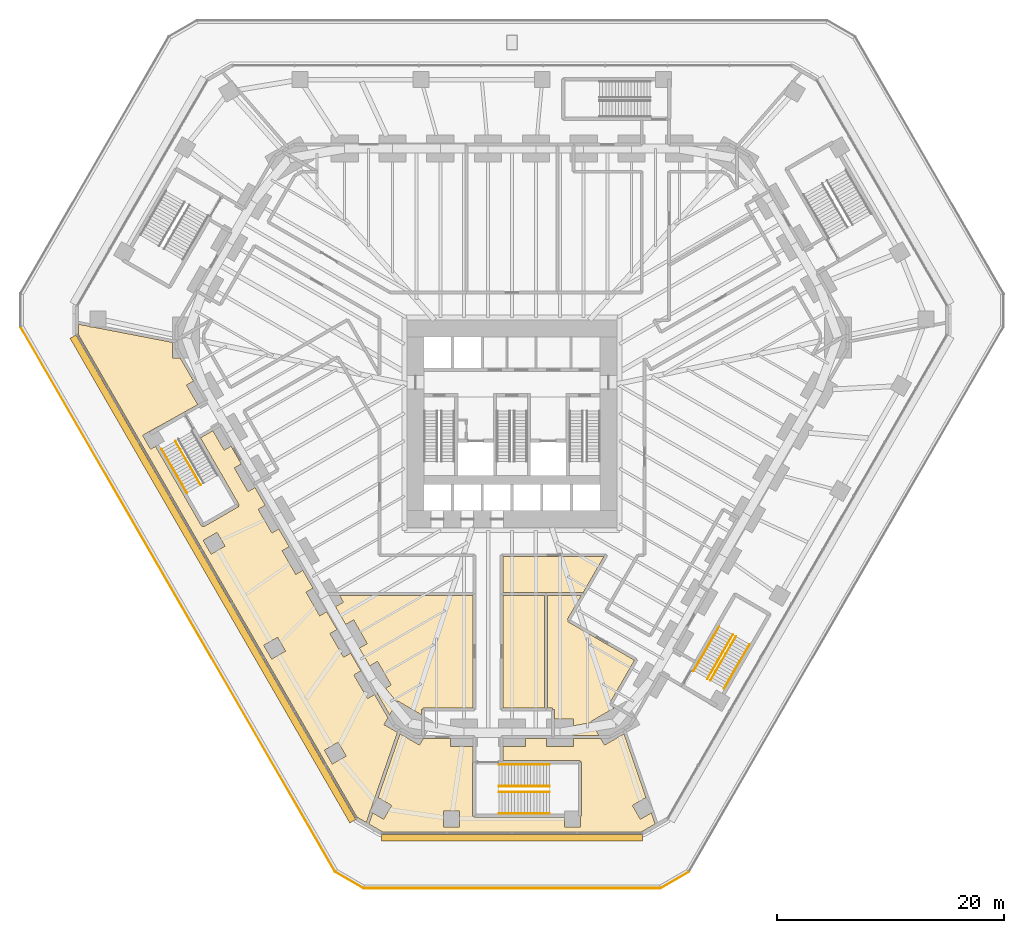
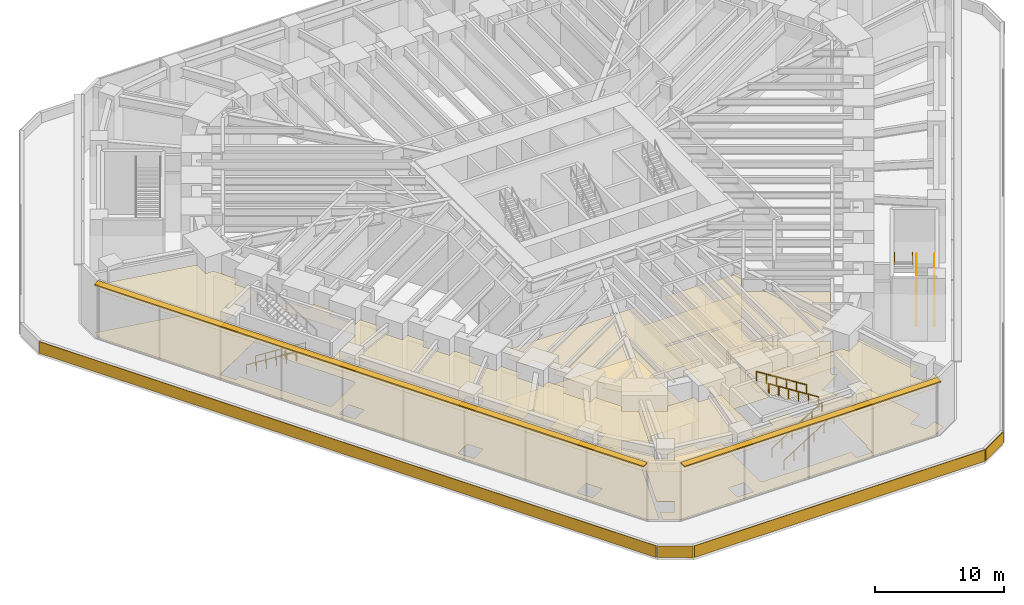
# One storey, part 21 of 24: 15 coverings, 10 railings, 2 shading devices.
"""IFC4 building model written with IfcOpenShell, lengths in metres."""

from ifc_helpers import new_model, si_unit, direction, frame, frame_2d, origin, origin_2d, place, context, subcontext, project, spatial, polyline, rectangle, circle, outline, extrude, material, layer, layer_set, type_object, element, save


model = new_model("IFC4")

# Units and contexts
model_context = context("Model", 3, precision=1e-05, world=origin(), true_north=direction((0.0, 1.0)))
body_context = subcontext(model_context, "Body", "Model", "MODEL_VIEW")
ifc_project = project(units=[si_unit("LENGTHUNIT", "METRE"), si_unit("AREAUNIT", "SQUARE_METRE"), si_unit("VOLUMEUNIT", "CUBIC_METRE"), si_unit("PLANEANGLEUNIT", "RADIAN"), si_unit("MASSUNIT", "GRAM", prefix="KILO")], contexts=[model_context])

# Site, building, storey
site_placement = place(None, origin())
site = spatial("IfcSite", under=ifc_project, at=site_placement, CompositionType="ELEMENT")
building_placement = place(site_placement, origin())
building = spatial("IfcBuilding", under=site, at=building_placement, Name="Sandreach Pilgrim Tower", CompositionType="ELEMENT")
storey_placement = place(building_placement, frame((0.0, 0.0, 12.0)))
storey = spatial("IfcBuildingStorey", under=building, at=storey_placement, Name="L02", CompositionType="ELEMENT", Elevation=12.0)

# Coverings
ifc_material_1 = material(Name="Acoustic mineral fibre tile ceiling on a suspension grid", Category="mineral")
ifc_layer_1 = layer(ifc_material_1, 0.02001953125)
ifc_layer_set_1 = layer_set([ifc_layer_1], Name="Acoustic mineral tile ceiling")
covering_type_1 = type_object("IfcCoveringType", Name="Acoustic mineral tile ceiling", PredefinedType="CEILING", material=ifc_layer_set_1)
covering_1_placement = place(storey_placement, frame((0.0, 0.0, 4.5)))
element("IfcCovering", 1, at=covering_1_placement, inside=storey, type_object=covering_type_1, Name="Ceiling 0205 Library and reading room", PredefinedType="CEILING", context=body_context, shape_type="SweptSolid", body=[
    extrude(outline(polyline([(-38.156982421875, 6.267822265625), (-38.156982421875, 7.21533203125), (-37.143310546875, 7.019775390625), (-37.143310546875, 6.994384765625), (-37.01123046875, 6.994384765625), (-29.91259765625, 5.62451171875), (-29.91259765625, 4.26220703125), (-29.223876953125, 4.26220703125), (-28.040283203125, 2.210693359375), (-28.655517578125, 1.85546875), (-27.666259765625, 0.141845703125), (-31.301025390625, -1.88671875), (-31.311279296875, -1.869140625), (-32.523681640625, -2.569091796875), (-31.82373046875, -3.781494140625), (-31.388671875, -3.530517578125), (-27.335205078125, -10.551513671875), (-27.29248046875, -10.52685546875), (-27.241943359375, -10.613037109375), (-27.1552734375, -10.56298828125), (-27.13037109375, -10.6064453125), (-24.09912109375, -8.8564453125), (-24.124267578125, -8.81298828125), (-24.03759765625, -8.76318359375), (-24.0869140625, -8.676025390625), (-24.044189453125, -8.6513671875), (-27.432861328125, -2.782470703125), (-26.340576171875, -2.154296875), (-25.3505859375, -3.868896484375), (-24.736083984375, -3.51416015625), (-23.8310546875, -5.081298828125), (-24.445556640625, -5.436279296875), (-23.24560546875, -7.5146484375), (-22.630615234375, -7.15966796875), (-21.725341796875, -8.726806640625), (-22.3408203125, -9.082275390625), (-21.140625, -11.16064453125), (-20.525146484375, -10.80517578125), (-19.619873046875, -12.37255859375), (-20.23583984375, -12.72802734375), (-19.03564453125, -14.806640625), (-18.41943359375, -14.45068359375), (-17.51416015625, -16.01806640625), (-18.130859375, -16.3740234375), (-16.930908203125, -18.452392578125), (-16.313232421875, -18.095947265625), (-15.407470703125, -19.662841796875), (-16.02587890625, -20.019775390625), (-14.825927734375, -22.098388671875), (-14.206298828125, -21.74072265625), (-13.300537109375, -23.3076171875), (-13.9208984375, -23.665771484375), (-12.720947265625, -25.744140625), (-12.099365234375, -25.385498046875), (-10.916259765625, -27.431884765625), (-11.26513671875, -28.0361328125), (-10.0849609375, -28.717529296875), (-12.4345703125, -35.5263671875), (-12.514404296875, -35.664306640625), (-12.487548828125, -35.6796875), (-12.824462890625, -36.655517578125), (-13.650390625, -36.1787109375), (-38.156982421875, 6.267822265625)]), holes=[polyline([(-16.519287109375, -30.289306640625), (-15.8193359375, -31.501708984375), (-14.60693359375, -30.8017578125), (-15.306884765625, -29.58935546875), (-16.519287109375, -30.289306640625)]), polyline([(-21.154052734375, -22.26171875), (-19.941650390625, -21.561767578125), (-20.6416015625, -20.349365234375), (-21.854248046875, -21.04931640625), (-21.154052734375, -22.26171875)]), polyline([(-26.489013671875, -13.021728515625), (-25.2763671875, -12.321533203125), (-25.9765625, -11.109130859375), (-27.18896484375, -11.809326171875), (-26.489013671875, -13.021728515625)])]), origin(), (0.0, 0.0, 1.0), 0.02001953125),
])
ifc_material_2 = material(Name="Nylon carpet tile on the slab", Category="textile")
ifc_layer_2 = layer(ifc_material_2, 0.008056640625)
ifc_layer_set_2 = layer_set([ifc_layer_2], Name="Carpet tile")
covering_type_2 = type_object("IfcCoveringType", Name="Carpet tile", PredefinedType="FLOORING", material=ifc_layer_set_2)
covering_2_placement = place(storey_placement, origin())
element("IfcCovering", 2, at=covering_2_placement, inside=storey, type_object=covering_type_2, Name="Floor finish 0204 Imam's study", PredefinedType="FLOORING", context=body_context, shape_type="SweptSolid", body=[
    extrude(outline(polyline([(-12.60400390625, -36.782958984375), (-12.26708984375, -35.806884765625), (-11.302001953125, -36.3642578125), (-10.601806640625, -35.15185546875), (-11.802001953125, -34.458984375), (-9.864501953125, -28.844970703125), (-8.1474609375, -29.836181640625), (-7.80029296875, -29.235107421875), (-5.42236328125, -29.235107421875), (-5.42236328125, -29.950927734375), (-3.43505859375, -29.950927734375), (-3.4296875, -31.36083984375), (-3.461181640625, -31.36083984375), (-3.461181640625, -36.060791015625), (-3.41162109375, -36.060791015625), (-3.4111328125, -36.160888671875), (-3.311279296875, -36.16162109375), (-3.311279296875, -36.2109375), (4.63525390625, -36.2109375), (4.63525390625, -37.028564453125), (6.03515625, -37.028564453125), (6.03515625, -36.160888671875), (6.138916015625, -36.060791015625), (6.138916015625, -31.36083984375), (6.08984375, -31.36083984375), (6.0888671875, -31.260986328125), (5.98876953125, -31.26025390625), (5.98876953125, -31.2109375), (-0.784912109375, -31.2109375), (-0.784912109375, -29.950927734375), (1.199951171875, -29.950927734375), (1.199951171875, -29.235107421875), (3.022216796875, -29.235107421875), (3.022216796875, -29.950927734375), (5.42236328125, -29.950927734375), (5.42236328125, -29.235107421875), (7.80029296875, -29.235107421875), (8.1474609375, -29.836181640625), (9.864501953125, -28.844970703125), (11.802001953125, -34.458984375), (10.601806640625, -35.15185546875), (11.302001953125, -36.3642578125), (12.26708984375, -35.806884765625), (12.60400390625, -36.782958984375), (11.381591796875, -37.488525390625), (-11.381591796875, -37.488525390625), (-12.60400390625, -36.782958984375)]), holes=[polyline([(-4.63525390625, -37.028564453125), (-4.63525390625, -35.628662109375), (-6.03515625, -35.628662109375), (-6.03515625, -37.028564453125), (-4.63525390625, -37.028564453125)])]), origin(), (0.0, 0.0, 1.0), 0.008056640625),
])
covering_3_placement = place(storey_placement, origin())
element("IfcCovering", 3, at=covering_3_placement, inside=storey, type_object=covering_type_2, Name="Floor finish 0205 Library and reading room", PredefinedType="FLOORING", context=body_context, shape_type="SweptSolid", body=[
    extrude(outline(polyline([(-38.156982421875, 6.267822265625), (-38.156982421875, 7.21533203125), (-37.143310546875, 7.019775390625), (-37.143310546875, 6.994384765625), (-37.01123046875, 6.994384765625), (-29.91259765625, 5.62451171875), (-29.91259765625, 4.26220703125), (-29.223876953125, 4.26220703125), (-28.040283203125, 2.210693359375), (-28.655517578125, 1.85546875), (-27.666259765625, 0.141845703125), (-31.301025390625, -1.88671875), (-31.311279296875, -1.869140625), (-32.523681640625, -2.569091796875), (-31.82373046875, -3.781494140625), (-31.388671875, -3.530517578125), (-27.335205078125, -10.551513671875), (-27.29248046875, -10.52685546875), (-27.241943359375, -10.613037109375), (-27.1552734375, -10.56298828125), (-27.13037109375, -10.6064453125), (-24.09912109375, -8.8564453125), (-24.124267578125, -8.81298828125), (-24.03759765625, -8.76318359375), (-24.0869140625, -8.676025390625), (-24.044189453125, -8.6513671875), (-27.432861328125, -2.782470703125), (-26.340576171875, -2.154296875), (-25.3505859375, -3.868896484375), (-24.736083984375, -3.51416015625), (-23.8310546875, -5.081298828125), (-24.445556640625, -5.436279296875), (-23.24560546875, -7.5146484375), (-22.630615234375, -7.15966796875), (-21.725341796875, -8.726806640625), (-22.3408203125, -9.082275390625), (-21.140625, -11.16064453125), (-20.525146484375, -10.80517578125), (-19.619873046875, -12.37255859375), (-20.23583984375, -12.72802734375), (-19.03564453125, -14.806640625), (-18.41943359375, -14.45068359375), (-17.51416015625, -16.01806640625), (-18.130859375, -16.3740234375), (-16.930908203125, -18.452392578125), (-16.313232421875, -18.095947265625), (-15.407470703125, -19.662841796875), (-16.02587890625, -20.019775390625), (-14.825927734375, -22.098388671875), (-14.206298828125, -21.74072265625), (-13.300537109375, -23.3076171875), (-13.9208984375, -23.665771484375), (-12.720947265625, -25.744140625), (-12.099365234375, -25.385498046875), (-10.916259765625, -27.431884765625), (-11.26513671875, -28.0361328125), (-10.0849609375, -28.717529296875), (-12.4345703125, -35.5263671875), (-12.514404296875, -35.664306640625), (-12.487548828125, -35.6796875), (-12.824462890625, -36.655517578125), (-13.650390625, -36.1787109375), (-38.156982421875, 6.267822265625)]), holes=[polyline([(-16.519287109375, -30.289306640625), (-15.8193359375, -31.501708984375), (-14.60693359375, -30.8017578125), (-15.306884765625, -29.58935546875), (-16.519287109375, -30.289306640625)]), polyline([(-21.154052734375, -22.26171875), (-19.941650390625, -21.561767578125), (-20.6416015625, -20.349365234375), (-21.854248046875, -21.04931640625), (-21.154052734375, -22.26171875)]), polyline([(-26.489013671875, -13.021728515625), (-25.2763671875, -12.321533203125), (-25.9765625, -11.109130859375), (-27.18896484375, -11.809326171875), (-26.489013671875, -13.021728515625)])]), origin(), (0.0, 0.0, 1.0), 0.008056640625),
])
ifc_material_3 = material(Name="Epoxy resin floor on the slab", Category="plastic")
ifc_layer_3 = layer(ifc_material_3, 0.00390625)
ifc_layer_set_3 = layer_set([ifc_layer_3], Name="Epoxy resin floor")
covering_type_3 = type_object("IfcCoveringType", Name="Epoxy resin floor", PredefinedType="FLOORING", material=ifc_layer_set_3)
covering_4_placement = place(storey_placement, origin())
element("IfcCovering", 4, at=covering_4_placement, inside=storey, type_object=covering_type_3, Name="Floor finish 02B5 Quran store", PredefinedType="FLOORING", context=body_context, shape_type="SweptSolid", body=[
    extrude(outline(polyline([(8.093505859375, -13.2451171875), (6.277099609375, -16.39501953125), (-0.784912109375, -16.39501953125), (-0.784912109375, -13.2451171875), (8.093505859375, -13.2451171875)])), origin(), (0.0, 0.0, 1.0), 0.00390625),
])
ifc_material_4 = material(Name="Gypsum board suspended ceiling on a steel grid", Category="steel")
ifc_layer_4 = layer(ifc_material_4, 0.012939453125)
ifc_layer_set_4 = layer_set([ifc_layer_4], Name="Gypsum board suspended ceiling")
covering_type_4 = type_object("IfcCoveringType", Name="Gypsum board suspended ceiling", PredefinedType="CEILING", material=ifc_layer_set_4)
covering_5_placement = place(storey_placement, frame((0.0, 0.0, 4.5)))
element("IfcCovering", 5, at=covering_5_placement, inside=storey, type_object=covering_type_4, Name="Ceiling 0204 Imam's study", PredefinedType="CEILING", context=body_context, shape_type="SweptSolid", body=[
    extrude(outline(polyline([(-12.60400390625, -36.782958984375), (-12.26708984375, -35.806884765625), (-11.302001953125, -36.3642578125), (-10.601806640625, -35.15185546875), (-11.802001953125, -34.458984375), (-9.864501953125, -28.844970703125), (-8.1474609375, -29.836181640625), (-7.80029296875, -29.235107421875), (-5.42236328125, -29.235107421875), (-5.42236328125, -29.950927734375), (-3.43505859375, -29.950927734375), (-3.4296875, -31.36083984375), (-3.461181640625, -31.36083984375), (-3.461181640625, -36.060791015625), (-3.41162109375, -36.060791015625), (-3.4111328125, -36.160888671875), (-3.311279296875, -36.16162109375), (-3.311279296875, -36.2109375), (4.63525390625, -36.2109375), (4.63525390625, -37.028564453125), (6.03515625, -37.028564453125), (6.03515625, -36.160888671875), (6.138916015625, -36.060791015625), (6.138916015625, -31.36083984375), (6.08984375, -31.36083984375), (6.0888671875, -31.260986328125), (5.98876953125, -31.26025390625), (5.98876953125, -31.2109375), (-0.784912109375, -31.2109375), (-0.784912109375, -29.950927734375), (1.199951171875, -29.950927734375), (1.199951171875, -29.235107421875), (3.022216796875, -29.235107421875), (3.022216796875, -29.950927734375), (5.42236328125, -29.950927734375), (5.42236328125, -29.235107421875), (7.80029296875, -29.235107421875), (8.1474609375, -29.836181640625), (9.864501953125, -28.844970703125), (11.802001953125, -34.458984375), (10.601806640625, -35.15185546875), (11.302001953125, -36.3642578125), (12.26708984375, -35.806884765625), (12.60400390625, -36.782958984375), (11.381591796875, -37.488525390625), (-11.381591796875, -37.488525390625), (-12.60400390625, -36.782958984375)]), holes=[polyline([(-4.63525390625, -37.028564453125), (-4.63525390625, -35.628662109375), (-6.03515625, -35.628662109375), (-6.03515625, -37.028564453125), (-4.63525390625, -37.028564453125)])]), origin(), (0.0, 0.0, 1.0), 0.012939453125),
])
ifc_material_5 = material(Name="Moisture-resistant gypsum board suspended ceiling on a steel grid", Category="steel")
ifc_layer_5 = layer(ifc_material_5, 0.01611328125)
ifc_layer_set_5 = layer_set([ifc_layer_5], Name="Moisture-resistant gypsum board ceiling")
covering_type_5 = type_object("IfcCoveringType", Name="Moisture-resistant gypsum board ceiling", PredefinedType="CEILING", material=ifc_layer_set_5)
covering_6_placement = place(storey_placement, frame((0.0, 0.0, 4.699951171875)))
element("IfcCovering", 6, at=covering_6_placement, inside=storey, type_object=covering_type_5, Name="Ceiling 02T1 Women's toilets 02", PredefinedType="CEILING", context=body_context, shape_type="SweptSolid", body=[
    extrude(outline(polyline([(-10.642333984375, -24.544189453125), (-11.842529296875, -22.4658203125), (-12.53515625, -22.86572265625), (-13.440185546875, -21.29833984375), (-12.747314453125, -20.8984375), (-13.947265625, -18.81982421875), (-14.64013671875, -19.219970703125), (-15.545166015625, -17.65234375), (-14.852294921875, -17.25244140625), (-15.203125, -16.64501953125), (-3.43505859375, -16.64501953125), (-3.43505859375, -26.58447265625), (-7.829345703125, -26.56494140625), (-7.831298828125, -26.7099609375), (-7.955078125, -26.7099609375), (-7.955078125, -27.176025390625), (-10.065185546875, -25.957763671875), (-10.12353515625, -26.05908203125), (-11.147705078125, -24.8359375), (-10.642333984375, -24.544189453125)])), origin(), (0.0, 0.0, 1.0), 0.01611328125),
])
covering_7_placement = place(storey_placement, frame((0.0, 0.0, 4.800048828125)))
element("IfcCovering", 7, at=covering_7_placement, inside=storey, type_object=covering_type_5, Name="Ceiling 02T2 Accessible toilets 02", PredefinedType="CEILING", context=body_context, shape_type="SweptSolid", body=[
    extrude(outline(polyline([(2.875, -26.565673828125), (-0.784912109375, -26.58447265625), (-0.784912109375, -16.64501953125), (2.875, -16.64501953125), (2.875, -26.565673828125)])), origin(), (0.0, 0.0, 1.0), 0.015869140625),
])
covering_8_placement = place(storey_placement, frame((0.0, 0.0, 4.699951171875)))
element("IfcCovering", 8, at=covering_8_placement, inside=storey, type_object=covering_type_5, Name="Ceiling 02T3 Men's toilets 02", PredefinedType="CEILING", context=body_context, shape_type="SweptSolid", body=[
    extrude(outline(polyline([(3.125, -26.56494140625), (3.125, -16.64501953125), (6.11279296875, -16.64501953125), (4.86181640625, -18.797119140625), (4.969970703125, -18.860107421875), (4.907470703125, -18.96826171875), (10.78759765625, -22.3662109375), (8.601806640625, -26.157470703125), (8.690673828125, -26.208740234375), (8.62744140625, -26.318115234375), (9.033447265625, -26.55322265625), (6.947509765625, -27.7578125), (7.00537109375, -27.858154296875), (5.42236328125, -28.135009765625), (5.42236328125, -27.55078125), (3.735107421875, -27.55078125), (3.735107421875, -26.7099609375), (3.570068359375, -26.69091796875), (3.570068359375, -26.56494140625), (3.125, -26.56494140625)])), origin(), (0.0, 0.0, 1.0), 0.01611328125),
])

# Shading devices
ifc_material_6 = material(Name="Extruded aluminium sunshade blade, powder coated", Category="aluminium")
ifc_layer_6 = layer(ifc_material_6, 0.10009765625)
ifc_layer_set_6 = layer_set([ifc_layer_6], Name="Podium sunshade 600")
shading_device_type = type_object("IfcShadingDeviceType", Name="Podium sunshade 600", PredefinedType="AWNING", material=ifc_layer_set_6)
shading_device_1_placement = place(storey_placement, frame((0.0, -37.988525390625, 5.5), z_axis=(0.0, 0.0, 1.0), x_axis=(-1.0, 0.0, 0.0)))
element("IfcShadingDevice", 9, at=shading_device_1_placement, inside=storey, type_object=shading_device_type, Name="Sunshade L02 S over S", PredefinedType="AWNING", context=body_context, shape_type="SweptSolid", body=[
    extrude(rectangle(XDim=23.016845703125, YDim=0.60009765625, at=origin_2d()), origin(), (0.0, 0.0, 1.0), 0.10009765625),
])
shading_device_2_placement = place(storey_placement, frame((-26.336669921875, -15.20556640625, 5.5), z_axis=(0.0, 0.0, 1.0), x_axis=(-0.5, 0.866025403784, 0.0)))
element("IfcShadingDevice", 10, at=shading_device_2_placement, inside=storey, type_object=shading_device_type, Name="Sunshade L02 SW over SW", PredefinedType="AWNING", context=body_context, shape_type="SweptSolid", body=[
    extrude(rectangle(XDim=49.266845703125, YDim=0.60009765625, at=origin_2d()), origin(), (0.0, 0.0, 1.0), 0.10009765625),
])

# Coverings
ifc_material_7 = material(Name="Porcelain tile on an adhesive bed", Category="ceramic")
ifc_layer_7 = layer(ifc_material_7, 0.011962890625)
ifc_layer_set_7 = layer_set([ifc_layer_7], Name="Porcelain tile")
covering_type_6 = type_object("IfcCoveringType", Name="Porcelain tile", PredefinedType="FLOORING", material=ifc_layer_set_7)
covering_9_placement = place(storey_placement, origin())
element("IfcCovering", 11, at=covering_9_placement, inside=storey, type_object=covering_type_6, Name="Floor finish 02T1 Women's toilets 02", PredefinedType="FLOORING", context=body_context, shape_type="SweptSolid", body=[
    extrude(outline(polyline([(-7.831298828125, -26.7099609375), (-7.955078125, -26.7099609375), (-7.955078125, -27.176025390625), (-10.065185546875, -25.957763671875), (-10.77197265625, -27.18212890625), (-11.8828125, -25.260498046875), (-10.642333984375, -24.544189453125), (-11.842529296875, -22.4658203125), (-13.083984375, -23.1826171875), (-13.989990234375, -21.61572265625), (-12.747314453125, -20.8984375), (-13.947265625, -18.81982421875), (-15.19091796875, -19.537841796875), (-16.096923828125, -17.970947265625), (-14.852294921875, -17.25244140625), (-15.203125, -16.64501953125), (-3.43505859375, -16.64501953125), (-3.43505859375, -26.58447265625), (-7.829345703125, -26.56494140625), (-7.831298828125, -26.7099609375)])), origin(), (0.0, 0.0, 1.0), 0.011962890625),
])
covering_10_placement = place(storey_placement, origin())
element("IfcCovering", 12, at=covering_10_placement, inside=storey, type_object=covering_type_6, Name="Floor finish 02T2 Accessible toilets 02", PredefinedType="FLOORING", context=body_context, shape_type="SweptSolid", body=[
    extrude(outline(polyline([(2.875, -26.565673828125), (-0.784912109375, -26.58447265625), (-0.784912109375, -16.64501953125), (2.875, -16.64501953125), (2.875, -26.565673828125)])), origin(), (0.0, 0.0, 1.0), 0.011962890625),
])
covering_11_placement = place(storey_placement, origin())
element("IfcCovering", 13, at=covering_11_placement, inside=storey, type_object=covering_type_6, Name="Floor finish 02T3 Men's toilets 02", PredefinedType="FLOORING", context=body_context, shape_type="SweptSolid", body=[
    extrude(outline(polyline([(3.125, -26.56494140625), (3.125, -16.64501953125), (6.11279296875, -16.64501953125), (4.86181640625, -18.797119140625), (4.969970703125, -18.860107421875), (4.907470703125, -18.96826171875), (10.78759765625, -22.3662109375), (8.601806640625, -26.157470703125), (8.690673828125, -26.208740234375), (8.62744140625, -26.318115234375), (9.033447265625, -26.55322265625), (6.947509765625, -27.7578125), (7.656005859375, -28.985107421875), (5.42236328125, -28.985107421875), (5.42236328125, -27.55078125), (3.735107421875, -27.55078125), (3.735107421875, -26.7099609375), (3.570068359375, -26.69091796875), (3.570068359375, -26.56494140625), (3.125, -26.56494140625)])), origin(), (0.0, 0.0, 1.0), 0.011962890625),
])

# Railings
ifc_material_8 = material(Name="Stainless steel tube", Category="steel")
railing_type = type_object("IfcRailingType", Name="Stair handrail", PredefinedType="HANDRAIL", material=ifc_material_8)
for number, where, name in (
    (14, (-1.1611328125, -33.9609375, 0.176513671875), "Handrail ST5 L02 flight 1"),
    (15, (-1.1611328125, -35.86083984375, 0.176513671875), "Handrail ST5 L02 flight 1"),
):
    element("IfcRailing", number, at=place(storey_placement, frame(where)), inside=storey, type_object=railing_type, Name=name, PredefinedType="HANDRAIL", context=body_context, shape_type="SweptSolid", body=[
        extrude(circle(Radius=0.02392578125, at=origin_2d()), frame((0.0, 0.0, 0.8759765625), z_axis=(0.845997938375, 0.0, 0.533186166611), x_axis=(0.0, 1.0, 0.0)), (0.0, 0.0, 1.0), 5.29541015625),
        extrude(circle(Radius=0.02099609375, at=origin_2d()), origin(), (0.0, 0.0, 1.0), 0.851806640625),
        extrude(circle(Radius=0.02099609375, at=origin_2d()), frame((0.89599609375, 0.0, 0.564697265625)), (0.0, 0.0, 1.0), 0.851806640625),
        extrude(circle(Radius=0.02099609375, at=origin_2d()), frame((1.7919921875, 0.0, 1.12939453125)), (0.0, 0.0, 1.0), 0.851806640625),
        extrude(circle(Radius=0.02099609375, at=origin_2d()), frame((2.68798828125, 0.0, 1.694091796875)), (0.0, 0.0, 1.0), 0.851806640625),
        extrude(circle(Radius=0.02099609375, at=origin_2d()), frame((3.583984375, 0.0, 2.2587890625)), (0.0, 0.0, 1.0), 0.851806640625),
        extrude(circle(Radius=0.02099609375, at=origin_2d()), frame((4.47998046875, 0.0, 2.823486328125)), (0.0, 0.0, 1.0), 0.851806640625),
    ])
for number, where, name in (
    (16, (3.31884765625, -33.4609375, 3.176513671875), "Handrail ST5 L02 flight 2"),
    (17, (3.31884765625, -31.560791015625, 3.176513671875), "Handrail ST5 L02 flight 2"),
):
    element("IfcRailing", number, at=place(storey_placement, frame(where)), inside=storey, type_object=railing_type, Name=name, PredefinedType="HANDRAIL", context=body_context, shape_type="SweptSolid", body=[
        extrude(circle(Radius=0.02392578125, at=origin_2d()), frame((0.0, 0.0, 0.8759765625), z_axis=(-0.845997938375, 0.0, 0.533186166611), x_axis=(0.0, -1.0, 0.0)), (0.0, 0.0, 1.0), 5.29541015625),
        extrude(circle(Radius=0.02099609375, at=origin_2d()), origin(), (0.0, 0.0, 1.0), 0.851806640625),
        extrude(circle(Radius=0.02099609375, at=origin_2d()), frame((-0.89599609375, 0.0, 0.564697265625)), (0.0, 0.0, 1.0), 0.851806640625),
        extrude(circle(Radius=0.02099609375, at=origin_2d()), frame((-1.7919921875, 0.0, 1.12939453125)), (0.0, 0.0, 1.0), 0.851806640625),
        extrude(circle(Radius=0.02099609375, at=origin_2d()), frame((-2.68798828125, 0.0, 1.694091796875)), (0.0, 0.0, 1.0), 0.851806640625),
        extrude(circle(Radius=0.02099609375, at=origin_2d()), frame((-3.583984375, 0.0, 2.2587890625)), (0.0, 0.0, 1.0), 0.851806640625),
        extrude(circle(Radius=0.02099609375, at=origin_2d()), frame((-4.47998046875, 0.0, 2.823486328125)), (0.0, 0.0, 1.0), 0.851806640625),
    ])
railing_1_placement = place(storey_placement, frame((17.46484375, -24.147216796875, 0.176513671875)))
element("IfcRailing", 18, at=railing_1_placement, inside=storey, type_object=railing_type, Name="Handrail ST8 L02 flight 1", PredefinedType="HANDRAIL", context=body_context, shape_type="SweptSolid", body=[
    extrude(circle(Radius=0.02392578125, at=origin_2d()), frame((0.0, 0.0, 0.8759765625), z_axis=(0.423007058581, 0.732643615031, 0.533196363214), x_axis=(-0.866017690131, 0.500013360201, 0.0)), (0.0, 0.0, 1.0), 5.29541015625),
    extrude(circle(Radius=0.02099609375, at=origin_2d()), origin(), (0.0, 0.0, 1.0), 0.851806640625),
    extrude(circle(Radius=0.02099609375, at=origin_2d()), frame((0.447998046875, 0.77587890625, 0.564697265625)), (0.0, 0.0, 1.0), 0.851806640625),
    extrude(circle(Radius=0.02099609375, at=origin_2d()), frame((0.89599609375, 1.5517578125, 1.12939453125)), (0.0, 0.0, 1.0), 0.851806640625),
    extrude(circle(Radius=0.02099609375, at=origin_2d()), frame((1.343994140625, 2.327880859375, 1.694091796875)), (0.0, 0.0, 1.0), 0.851806640625),
    extrude(circle(Radius=0.02099609375, at=origin_2d()), frame((1.7919921875, 3.103759765625, 2.2587890625)), (0.0, 0.0, 1.0), 0.851806640625),
    extrude(circle(Radius=0.02099609375, at=origin_2d()), frame((2.239990234375, 3.879638671875, 2.823486328125)), (0.0, 0.0, 1.0), 0.851806640625),
])
railing_2_placement = place(storey_placement, frame((18.67724609375, -24.847412109375, 0.176513671875)))
element("IfcRailing", 19, at=railing_2_placement, inside=storey, type_object=railing_type, Name="Handrail ST8 L02 flight 1", PredefinedType="HANDRAIL", context=body_context, shape_type="SweptSolid", body=[
    extrude(circle(Radius=0.02392578125, at=origin_2d()), frame((0.0, 0.0, 0.8759765625), z_axis=(0.42299277051, 0.732664971003, 0.533178353237), x_axis=(-0.866031314237, 0.499989762656, 0.0)), (0.0, 0.0, 1.0), 5.295654296875),
    extrude(circle(Radius=0.02099609375, at=origin_2d()), origin(), (0.0, 0.0, 1.0), 0.851806640625),
    extrude(circle(Radius=0.02099609375, at=origin_2d()), frame((0.447998046875, 0.77587890625, 0.564697265625)), (0.0, 0.0, 1.0), 0.851806640625),
    extrude(circle(Radius=0.02099609375, at=origin_2d()), frame((0.89599609375, 1.552001953125, 1.12939453125)), (0.0, 0.0, 1.0), 0.851806640625),
    extrude(circle(Radius=0.02099609375, at=origin_2d()), frame((1.343994140625, 2.327880859375, 1.694091796875)), (0.0, 0.0, 1.0), 0.851806640625),
    extrude(circle(Radius=0.02099609375, at=origin_2d()), frame((1.7919921875, 3.10400390625, 2.2587890625)), (0.0, 0.0, 1.0), 0.851806640625),
    extrude(circle(Radius=0.02099609375, at=origin_2d()), frame((2.239990234375, 3.8798828125, 2.823486328125)), (0.0, 0.0, 1.0), 0.851806640625),
])
for number, where, name in (
    (20, (19.445068359375, -20.117431640625, 3.176513671875), "Handrail ST8 L02 flight 2"),
    (21, (18.232666015625, -19.41748046875, 3.176513671875), "Handrail ST8 L02 flight 2"),
):
    element("IfcRailing", number, at=place(storey_placement, frame(where)), inside=storey, type_object=railing_type, Name=name, PredefinedType="HANDRAIL", context=body_context, shape_type="SweptSolid", body=[
        extrude(circle(Radius=0.02392578125, at=origin_2d()), frame((0.0, 0.0, 0.8759765625), z_axis=(-0.42299277051, -0.732664971003, 0.533178353237), x_axis=(0.866031314237, -0.499989762656, 0.0)), (0.0, 0.0, 1.0), 5.295654296875),
        extrude(circle(Radius=0.02099609375, at=origin_2d()), origin(), (0.0, 0.0, 1.0), 0.851806640625),
        extrude(circle(Radius=0.02099609375, at=origin_2d()), frame((-0.447998046875, -0.77587890625, 0.564697265625)), (0.0, 0.0, 1.0), 0.851806640625),
        extrude(circle(Radius=0.02099609375, at=origin_2d()), frame((-0.89599609375, -1.552001953125, 1.12939453125)), (0.0, 0.0, 1.0), 0.851806640625),
        extrude(circle(Radius=0.02099609375, at=origin_2d()), frame((-1.343994140625, -2.327880859375, 1.694091796875)), (0.0, 0.0, 1.0), 0.851806640625),
        extrude(circle(Radius=0.02099609375, at=origin_2d()), frame((-1.7919921875, -3.10400390625, 2.2587890625)), (0.0, 0.0, 1.0), 0.851806640625),
        extrude(circle(Radius=0.02099609375, at=origin_2d()), frame((-2.239990234375, -3.8798828125, 2.823486328125)), (0.0, 0.0, 1.0), 0.851806640625),
    ])
railing_3_placement = place(storey_placement, frame((-29.64453125, -3.05126953125, 0.176513671875)))
element("IfcRailing", 22, at=railing_3_placement, inside=storey, type_object=railing_type, Name="Handrail ST9 L02 flight 1", PredefinedType="HANDRAIL", context=body_context, shape_type="SweptSolid", body=[
    extrude(circle(Radius=0.02392578125, at=origin_2d()), frame((0.0, 0.0, 0.8759765625), z_axis=(0.42299277051, -0.732664971003, 0.533178353237), x_axis=(0.866031314237, 0.499989762656, 0.0)), (0.0, 0.0, 1.0), 5.295654296875),
    extrude(circle(Radius=0.02099609375, at=origin_2d()), origin(), (0.0, 0.0, 1.0), 0.851806640625),
    extrude(circle(Radius=0.02099609375, at=origin_2d()), frame((0.447998046875, -0.77587890625, 0.564697265625)), (0.0, 0.0, 1.0), 0.851806640625),
    extrude(circle(Radius=0.02099609375, at=origin_2d()), frame((0.89599609375, -1.552001953125, 1.12939453125)), (0.0, 0.0, 1.0), 0.851806640625),
    extrude(circle(Radius=0.02099609375, at=origin_2d()), frame((1.343994140625, -2.327880859375, 1.694091796875)), (0.0, 0.0, 1.0), 0.851806640625),
    extrude(circle(Radius=0.02099609375, at=origin_2d()), frame((1.7919921875, -3.10400390625, 2.2587890625)), (0.0, 0.0, 1.0), 0.851806640625),
    extrude(circle(Radius=0.02099609375, at=origin_2d()), frame((2.239990234375, -3.8798828125, 2.823486328125)), (0.0, 0.0, 1.0), 0.851806640625),
])
railing_4_placement = place(storey_placement, frame((-30.857177734375, -3.75146484375, 0.176513671875)))
element("IfcRailing", 23, at=railing_4_placement, inside=storey, type_object=railing_type, Name="Handrail ST9 L02 flight 1", PredefinedType="HANDRAIL", context=body_context, shape_type="SweptSolid", body=[
    extrude(circle(Radius=0.02392578125, at=origin_2d()), frame((0.0, 0.0, 0.8759765625), z_axis=(0.423007058581, -0.732643615031, 0.533196363214), x_axis=(0.866017690131, 0.500013360201, 0.0)), (0.0, 0.0, 1.0), 5.29541015625),
    extrude(circle(Radius=0.02099609375, at=origin_2d()), origin(), (0.0, 0.0, 1.0), 0.851806640625),
    extrude(circle(Radius=0.02099609375, at=origin_2d()), frame((0.447998046875, -0.77587890625, 0.564697265625)), (0.0, 0.0, 1.0), 0.851806640625),
    extrude(circle(Radius=0.02099609375, at=origin_2d()), frame((0.89599609375, -1.5517578125, 1.12939453125)), (0.0, 0.0, 1.0), 0.851806640625),
    extrude(circle(Radius=0.02099609375, at=origin_2d()), frame((1.343994140625, -2.327880859375, 1.694091796875)), (0.0, 0.0, 1.0), 0.851806640625),
    extrude(circle(Radius=0.02099609375, at=origin_2d()), frame((1.7919921875, -3.103759765625, 2.2587890625)), (0.0, 0.0, 1.0), 0.851806640625),
    extrude(circle(Radius=0.02099609375, at=origin_2d()), frame((2.239990234375, -3.879638671875, 2.823486328125)), (0.0, 0.0, 1.0), 0.851806640625),
])

# Coverings
ifc_material_9 = material(Name="Terracotta rainscreen panels on aluminium rails", Category="masonry")
ifc_layer_8 = layer(ifc_material_9, 0.050048828125)
ifc_layer_set_8 = layer_set([ifc_layer_8], Name="Terracotta rainscreen cladding 50")
covering_type_7 = type_object("IfcCoveringType", Name="Terracotta rainscreen cladding 50", PredefinedType="CLADDING", material=ifc_layer_set_8)
covering_12_placement = place(storey_placement, frame((-43.273681640625, 6.98779296875, 0.0), z_axis=(0.0, 0.0, 1.0), x_axis=(0.500000660882, -0.866025022224, 0.0)))
element("IfcCovering", 24, at=covering_12_placement, inside=storey, type_object=covering_type_7, Name="Rainscreen cladding on setback parapet l02 4", PredefinedType="CLADDING", context=body_context, shape_type="SweptSolid", body=[
    extrude(rectangle(XDim=55.376953125, YDim=0.050048828125, at=frame_2d((27.6884765625, 0.0))), origin(), (0.0, 0.0, 1.0), 1.10009765625),
])
covering_13_placement = place(storey_placement, frame((-15.5302734375, -41.02490234375, 0.0), z_axis=(0.0, 0.0, 1.0), x_axis=(0.865701662064, -0.500560318344, 0.0)))
element("IfcCovering", 25, at=covering_13_placement, inside=storey, type_object=covering_type_7, Name="Rainscreen cladding on setback parapet l02 5", PredefinedType="CLADDING", context=body_context, shape_type="SweptSolid", body=[
    extrude(rectangle(XDim=2.790771484375, YDim=0.050048828125, at=frame_2d((1.3955078125, 0.0))), origin(), (0.0, 0.0, 1.0), 1.10009765625),
])
covering_14_placement = place(storey_placement, frame((-13.039306640625, -42.44189453125, 0.0), z_axis=(0.0, 0.0, 1.0), x_axis=(1.0, 0.0, 0.0)))
element("IfcCovering", 26, at=covering_14_placement, inside=storey, type_object=covering_type_7, Name="Rainscreen cladding on setback parapet l02 6", PredefinedType="CLADDING", context=body_context, shape_type="SweptSolid", body=[
    extrude(rectangle(XDim=26.07861328125, YDim=0.050048828125, at=frame_2d((13.039306640625, 0.0))), origin(), (0.0, 0.0, 1.0), 1.10009765625),
])
covering_15_placement = place(storey_placement, frame((13.1142578125, -42.421875, 0.0), z_axis=(0.0, 0.0, 1.0), x_axis=(0.865701662064, 0.500560318344, 0.0)))
element("IfcCovering", 27, at=covering_15_placement, inside=storey, type_object=covering_type_7, Name="Rainscreen cladding on setback parapet l02 7", PredefinedType="CLADDING", context=body_context, shape_type="SweptSolid", body=[
    extrude(rectangle(XDim=2.790771484375, YDim=0.050048828125, at=frame_2d((1.3955078125, 0.0))), origin(), (0.0, 0.0, 1.0), 1.10009765625),
])

save(model, "model.ifc")
